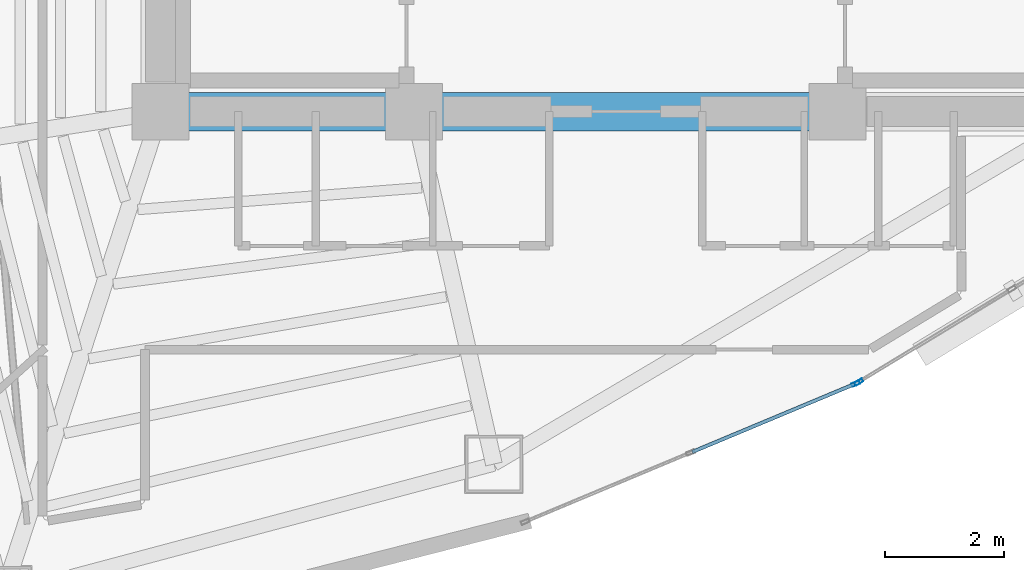
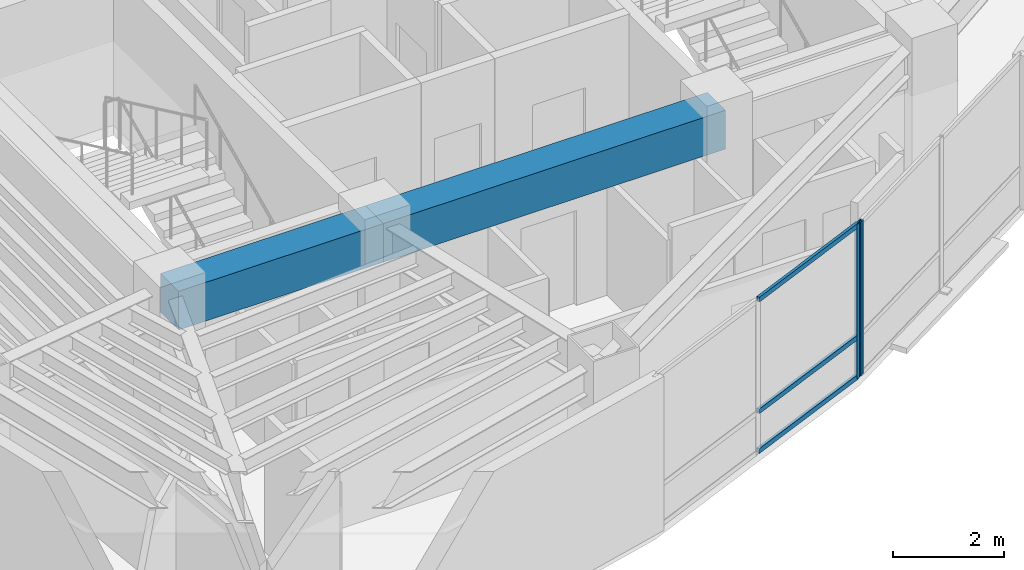
# One storey, part 4 of 16: 5 members, 2 beams, 2 elements without a shape of their own.
"""IFC4 building model written with IfcOpenShell, lengths in metres."""

from ifc_helpers import new_model, si_unit, direction, frame, origin, origin_2d, place, context, subcontext, project, spatial, rectangle, hollow_rectangle, extrude, material, layer, layer_set, material_profile, profile_set, type_object, element, aggregate, save


model = new_model("IFC4")

# Units and contexts
model_context = context("Model", 3, precision=1e-05, world=origin(), true_north=direction((0.0, 1.0)))
body_context = subcontext(model_context, "Body", "Model", "MODEL_VIEW")
ifc_project = project(units=[si_unit("LENGTHUNIT", "METRE"), si_unit("AREAUNIT", "SQUARE_METRE"), si_unit("VOLUMEUNIT", "CUBIC_METRE"), si_unit("PLANEANGLEUNIT", "RADIAN"), si_unit("MASSUNIT", "GRAM", prefix="KILO")], contexts=[model_context])

# Site, building, storey
site_placement = place(None, origin())
site = spatial("IfcSite", under=ifc_project, at=site_placement, CompositionType="ELEMENT")
building_placement = place(site_placement, origin())
building = spatial("IfcBuilding", under=site, at=building_placement, Name="Menara Vayukalpa", CompositionType="ELEMENT")
storey_placement = place(building_placement, frame((0.0, 0.0, 210.1201171875)))
storey = spatial("IfcBuildingStorey", under=building, at=storey_placement, Name="L53", CompositionType="ELEMENT", Elevation=210.1201171875)

# Beams
ifc_material_1 = material(Name="Concrete C60/75", Category="concrete")
ifc_material_profile_1 = material_profile(ifc_material_1, rectangle(XDim=0.64990234375, YDim=0.85009765625, at=origin_2d()), Name="RC 650x850")
ifc_profile_set_1 = profile_set([ifc_material_profile_1], Name="Concrete C60/75")
beam_type = type_object("IfcBeamType", Name="BM-CB1", PredefinedType="BEAM", material=ifc_profile_set_1)
beam_1_placement = place(storey_placement, frame((17.800048828125, 17.199951171875, 2.954833984375), z_axis=(1.0, 0.0, 0.0), x_axis=(0.0, 1.0, 0.0)))
element("IfcBeam", 1, at=beam_1_placement, inside=storey, type_object=beam_type, Name="L53 Core Tie Beam CBR1", PredefinedType="BEAM", context=body_context, shape_type="SweptSolid", body=[
    extrude(rectangle(XDim=0.64990234375, YDim=0.85009765625, at=origin_2d()), origin(), (0.0, 0.0, 1.0), 4.25),
])
beam_2_placement = place(storey_placement, frame((22.050048828125, 17.199951171875, 2.954833984375), z_axis=(1.0, 0.0, 0.0), x_axis=(0.0, 1.0, 0.0)))
element("IfcBeam", 2, at=beam_2_placement, inside=storey, type_object=beam_type, Name="L53 Core Tie Beam CBR2", PredefinedType="BEAM", context=body_context, shape_type="SweptSolid", body=[
    extrude(rectangle(XDim=0.64990234375, YDim=0.85009765625, at=origin_2d()), origin(), (0.0, 0.0, 1.0), 7.099853515625),
])

# Curtain wall, member
ifc_material_2 = material(Name="Anodised Terracotta Aluminium Alloy 6063-T6", Category="masonry")
ifc_layer = layer(ifc_material_2, 0.139892578125)
ifc_layer_set = layer_set([ifc_layer], Name="Anodised Terracotta Aluminium Alloy 6063-T6")
curtain_wall_type = type_object("IfcCurtainWallType", Name="CW-CW5", PredefinedType="USERDEFINED", material=ifc_layer_set)
curtain_wall_1_placement = place(storey_placement, origin())
curtain_wall_1 = element("IfcCurtainWall", 3, at=curtain_wall_1_placement, inside=storey, type_object=curtain_wall_type, Name="L53 High Rise Tapered Curtain Wall CW5 16", ObjectType="UNITISED", PredefinedType="USERDEFINED")
ifc_material_3 = material(Name="Anodised Terracotta Aluminium Alloy 6063-T6", Category="masonry")
ifc_material_profile_2 = material_profile(ifc_material_3, hollow_rectangle(XDim=0.06005859375, YDim=0.139892578125, WallThickness=0.00341796875, at=origin_2d()), Name="ALU 60x140x3.5")
ifc_profile_set_2 = profile_set([ifc_material_profile_2], Name="Anodised Terracotta Aluminium Alloy 6063-T6")
member_type_1 = type_object("IfcMemberType", Name="CWM-CW5", PredefinedType="MULLION", material=ifc_profile_set_2)
member_1_placement = place(storey_placement, frame((29.4560546875, 12.640380859375, 0.0), z_axis=(0.0, 0.0, 1.0), x_axis=(-0.385902834406, 0.922539431351, 0.0)))
member_1 = element("IfcMember", 4, at=member_1_placement, type_object=member_type_1, Name="CW5 mullion 3", PredefinedType="MULLION", context=body_context, shape_type="SweptSolid", body=[
    extrude(hollow_rectangle(XDim=0.06005859375, YDim=0.139892578125, WallThickness=0.00341796875, at=origin_2d()), origin(), (0.0, 0.0, 1.0), 3.3798828125),
])

curtain_wall_2_placement = place(storey_placement, origin())
curtain_wall_2 = element("IfcCurtainWall", 5, at=curtain_wall_2_placement, inside=storey, type_object=curtain_wall_type, Name="L53 High Rise Tapered Curtain Wall CW5 17", ObjectType="UNITISED", PredefinedType="USERDEFINED")
member_2_placement = place(storey_placement, frame((29.509521484375, 12.66748046875, 0.0), z_axis=(0.0, 0.0, 1.0), x_axis=(-0.519179911779, 0.854664974832, 0.0)))
member_2 = element("IfcMember", 6, at=member_2_placement, type_object=member_type_1, Name="CW5 mullion 1", PredefinedType="MULLION", context=body_context, shape_type="SweptSolid", body=[
    extrude(hollow_rectangle(XDim=0.06005859375, YDim=0.139892578125, WallThickness=0.00341796875, at=origin_2d()), origin(), (0.0, 0.0, 1.0), 3.3798828125),
])
aggregate(curtain_wall_2, [member_2])

# Member
ifc_material_4 = material(Name="Anodised Terracotta Aluminium Alloy 6063-T6", Category="masonry")
ifc_material_profile_3 = material_profile(ifc_material_4, hollow_rectangle(XDim=0.06005859375, YDim=0.10498046875, WallThickness=0.0029296875, at=origin_2d()), Name="ALU 60x105x3")
ifc_profile_set_3 = profile_set([ifc_material_profile_3], Name="Anodised Terracotta Aluminium Alloy 6063-T6")
member_type_2 = type_object("IfcMemberType", Name="CWT-CW5", PredefinedType="USERDEFINED", material=ifc_profile_set_3)
member_3_placement = place(storey_placement, frame((26.7138671875, 11.4931640625, 0.02978515625), z_axis=(0.922543360613, 0.385893440976, 0.0), x_axis=(-0.385893440976, 0.922543360613, 0.0)))
member_3 = element("IfcMember", 7, at=member_3_placement, type_object=member_type_2, Name="CW5 transom 2.1", ObjectType="TRANSOM", PredefinedType="USERDEFINED", context=body_context, shape_type="SweptSolid", body=[
    extrude(hollow_rectangle(XDim=0.06005859375, YDim=0.10498046875, WallThickness=0.0029296875, at=origin_2d()), origin(), (0.0, 0.0, 1.0), 2.942626953125),
])

member_4_placement = place(storey_placement, frame((26.7138671875, 11.4931640625, 0.89990234375), z_axis=(0.922543360613, 0.385893440976, 0.0), x_axis=(-0.385893440976, 0.922543360613, 0.0)))
member_4 = element("IfcMember", 8, at=member_4_placement, type_object=member_type_2, Name="CW5 transom 2.2", ObjectType="TRANSOM", PredefinedType="USERDEFINED", context=body_context, shape_type="SweptSolid", body=[
    extrude(hollow_rectangle(XDim=0.06005859375, YDim=0.10498046875, WallThickness=0.0029296875, at=origin_2d()), origin(), (0.0, 0.0, 1.0), 2.942626953125),
])

member_5_placement = place(storey_placement, frame((26.7138671875, 11.4931640625, 3.349853515625), z_axis=(0.922543360613, 0.385893440976, 0.0), x_axis=(-0.385893440976, 0.922543360613, 0.0)))
member_5 = element("IfcMember", 9, at=member_5_placement, type_object=member_type_2, Name="CW5 transom 2.3", ObjectType="TRANSOM", PredefinedType="USERDEFINED", context=body_context, shape_type="SweptSolid", body=[
    extrude(hollow_rectangle(XDim=0.06005859375, YDim=0.10498046875, WallThickness=0.0029296875, at=origin_2d()), origin(), (0.0, 0.0, 1.0), 2.942626953125),
])

aggregate(curtain_wall_1, [member_1, member_3, member_4, member_5])

save(model, "model.ifc")
